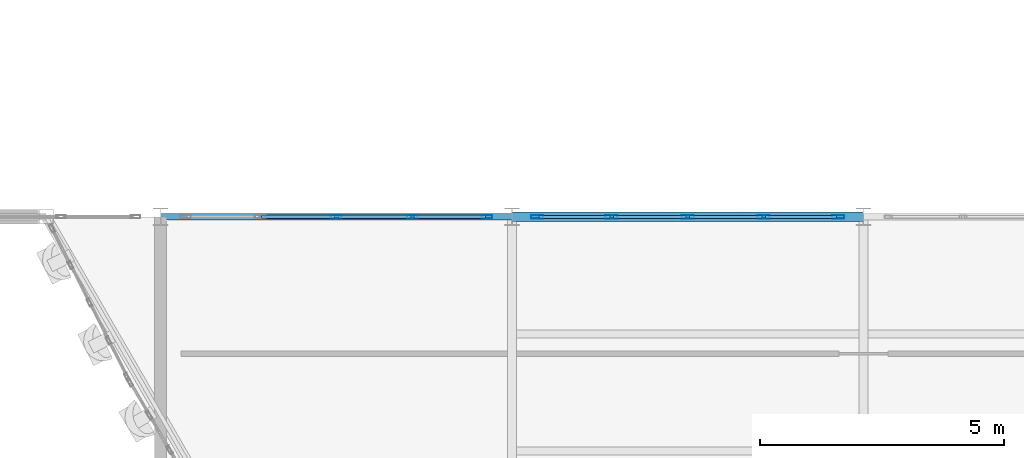
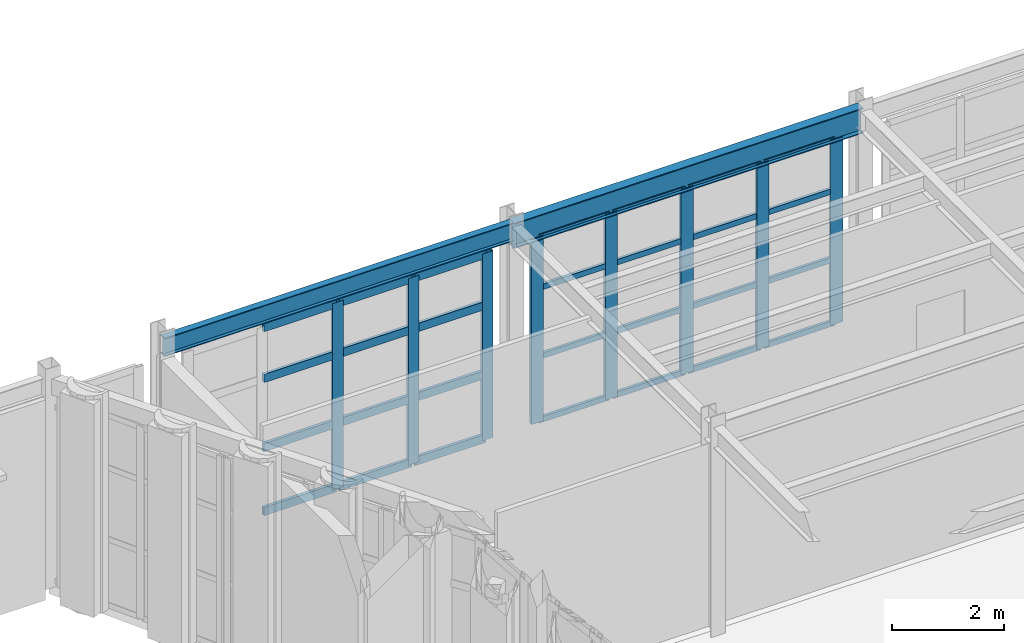
# One storey, part 31 of 121: 36 members, 2 beams, 2 elements without a shape of their own.
"""IFC4 building model written with IfcOpenShell, lengths in metres."""

from ifc_helpers import new_model, si_unit, direction, frame, origin, origin_2d, place, context, subcontext, project, spatial, hollow_rectangle, i_section, extrude, material, layer, layer_set, material_profile, profile_set, type_object, element, aggregate, save


model = new_model("IFC4")

# Units and contexts
model_context = context("Model", 3, precision=1e-05, world=origin(), true_north=direction((0.0, 1.0)))
body_context = subcontext(model_context, "Body", "Model", "MODEL_VIEW")
ifc_project = project(units=[si_unit("LENGTHUNIT", "METRE"), si_unit("AREAUNIT", "SQUARE_METRE"), si_unit("VOLUMEUNIT", "CUBIC_METRE"), si_unit("PLANEANGLEUNIT", "RADIAN"), si_unit("MASSUNIT", "GRAM", prefix="KILO")], contexts=[model_context])

# Site, building, storey
site_placement = place(None, origin())
site = spatial("IfcSite", under=ifc_project, at=site_placement, CompositionType="ELEMENT")
building_placement = place(site_placement, origin())
building = spatial("IfcBuilding", under=site, at=building_placement, Name="Solvadek Multi-Sports Hall", CompositionType="ELEMENT")
storey_placement = place(building_placement, frame((0.0, 0.0, 4.800048828125)))
storey = spatial("IfcBuildingStorey", under=building, at=storey_placement, Name="L01", CompositionType="ELEMENT", Elevation=4.800048828125)

# Curtain wall, members
ifc_material_1 = material(Name="Anodised aluminium", Category="aluminium")
ifc_layer_1 = layer(ifc_material_1, 0.159912109375, Name="Anodised aluminium")
ifc_layer_set_1 = layer_set([ifc_layer_1], Name="Anodised aluminium")
curtain_wall_type_1 = type_object("IfcCurtainWallType", Name="ENV-CW-624X408", PredefinedType="USERDEFINED", material=ifc_layer_set_1)
curtain_wall_1_placement = place(storey_placement, origin())
curtain_wall_1 = element("IfcCurtainWall", 1, at=curtain_wall_1_placement, inside=storey, type_object=curtain_wall_type_1, Name="L01 Perimeter Bay Curtain Wall #159", ObjectType="CURTAIN WALL", PredefinedType="USERDEFINED")
ifc_material_profile_1 = material_profile(ifc_material_1, hollow_rectangle(XDim=0.06494140625, YDim=0.219970703125, WallThickness=0.0048828125, at=origin_2d()), Name="ALU-M 220x65x5")
ifc_profile_set_1 = profile_set([ifc_material_profile_1], Name="Anodised aluminium")
member_type_1 = type_object("IfcMemberType", Name="ENV-CWM-04", PredefinedType="MULLION", material=ifc_profile_set_1)
member_1_placement = place(storey_placement, frame((32.39990234375, 20.39990234375, 0.0), z_axis=(0.0, 0.0, 1.0), x_axis=(0.0, 1.0, 0.0)))
member_1 = element("IfcMember", 2, at=member_1_placement, type_object=member_type_1, Name="CW-40 mullion 3", PredefinedType="MULLION", context=body_context, shape_type="SweptSolid", body=[
    extrude(hollow_rectangle(XDim=0.06494140625, YDim=0.219970703125, WallThickness=0.0048828125, at=origin_2d()), origin(), (0.0, 0.0, 1.0), 4.074951171875),
])
member_2_placement = place(storey_placement, frame((33.9599609375, 20.39990234375, 0.0), z_axis=(0.0, 0.0, 1.0), x_axis=(0.0, 1.0, 0.0)))
member_2 = element("IfcMember", 3, at=member_2_placement, type_object=member_type_1, Name="CW-40 mullion 4", PredefinedType="MULLION", context=body_context, shape_type="SweptSolid", body=[
    extrude(hollow_rectangle(XDim=0.06494140625, YDim=0.219970703125, WallThickness=0.0048828125, at=origin_2d()), origin(), (0.0, 0.0, 1.0), 4.074951171875),
])
member_3_placement = place(storey_placement, frame((35.487548828125, 20.39990234375, 0.0), z_axis=(0.0, 0.0, 1.0), x_axis=(0.0, 1.0, 0.0)))
member_3 = element("IfcMember", 4, at=member_3_placement, type_object=member_type_1, Name="CW-40 mullion 5", PredefinedType="MULLION", context=body_context, shape_type="SweptSolid", body=[
    extrude(hollow_rectangle(XDim=0.06494140625, YDim=0.219970703125, WallThickness=0.0048828125, at=origin_2d()), origin(), (0.0, 0.0, 1.0), 4.074951171875),
])

ifc_layer_2 = layer(ifc_material_1, 0.159912109375, Name="Anodised aluminium")
ifc_layer_set_2 = layer_set([ifc_layer_2], Name="Anodised aluminium")
curtain_wall_type_2 = type_object("IfcCurtainWallType", Name="ENV-CW-624X405", PredefinedType="USERDEFINED", material=ifc_layer_set_2)
curtain_wall_2_placement = place(storey_placement, origin())
curtain_wall_2 = element("IfcCurtainWall", 5, at=curtain_wall_2_placement, inside=storey, type_object=curtain_wall_type_2, Name="L01 Perimeter Bay Curtain Wall #164", ObjectType="CURTAIN WALL", PredefinedType="USERDEFINED")
ifc_material_profile_2 = material_profile(ifc_material_1, hollow_rectangle(XDim=0.070068359375, YDim=0.25, WallThickness=0.0048828125, at=origin_2d()), Name="ALU-M 250x70x5")
ifc_profile_set_2 = profile_set([ifc_material_profile_2], Name="Anodised aluminium")
member_type_2 = type_object("IfcMemberType", Name="ENV-CWM-05", PredefinedType="MULLION", material=ifc_profile_set_2)
member_4_placement = place(storey_placement, frame((36.514892578125, 20.39990234375, 0.0), z_axis=(0.0, 0.0, 1.0), x_axis=(0.0, 1.0, 0.0)))
member_4 = element("IfcMember", 6, at=member_4_placement, type_object=member_type_2, Name="CW-52 mullion 1", PredefinedType="MULLION", context=body_context, shape_type="SweptSolid", body=[
    extrude(hollow_rectangle(XDim=0.070068359375, YDim=0.25, WallThickness=0.0048828125, at=origin_2d()), origin(), (0.0, 0.0, 1.0), 4.050048828125),
])
member_5_placement = place(storey_placement, frame((38.0400390625, 20.39990234375, 0.0), z_axis=(0.0, 0.0, 1.0), x_axis=(0.0, 1.0, 0.0)))
member_5 = element("IfcMember", 7, at=member_5_placement, type_object=member_type_2, Name="CW-52 mullion 2", PredefinedType="MULLION", context=body_context, shape_type="SweptSolid", body=[
    extrude(hollow_rectangle(XDim=0.070068359375, YDim=0.25, WallThickness=0.0048828125, at=origin_2d()), origin(), (0.0, 0.0, 1.0), 4.050048828125),
])
member_6_placement = place(storey_placement, frame((39.60009765625, 20.39990234375, 0.0), z_axis=(0.0, 0.0, 1.0), x_axis=(0.0, 1.0, 0.0)))
member_6 = element("IfcMember", 8, at=member_6_placement, type_object=member_type_2, Name="CW-52 mullion 3", PredefinedType="MULLION", context=body_context, shape_type="SweptSolid", body=[
    extrude(hollow_rectangle(XDim=0.070068359375, YDim=0.25, WallThickness=0.0048828125, at=origin_2d()), origin(), (0.0, 0.0, 1.0), 4.050048828125),
])
member_7_placement = place(storey_placement, frame((41.159912109375, 20.39990234375, 0.0), z_axis=(0.0, 0.0, 1.0), x_axis=(0.0, 1.0, 0.0)))
member_7 = element("IfcMember", 9, at=member_7_placement, type_object=member_type_2, Name="CW-52 mullion 4", PredefinedType="MULLION", context=body_context, shape_type="SweptSolid", body=[
    extrude(hollow_rectangle(XDim=0.070068359375, YDim=0.25, WallThickness=0.0048828125, at=origin_2d()), origin(), (0.0, 0.0, 1.0), 4.050048828125),
])
member_8_placement = place(storey_placement, frame((42.68505859375, 20.39990234375, 0.0), z_axis=(0.0, 0.0, 1.0), x_axis=(0.0, 1.0, 0.0)))
member_8 = element("IfcMember", 10, at=member_8_placement, type_object=member_type_2, Name="CW-52 mullion 5", PredefinedType="MULLION", context=body_context, shape_type="SweptSolid", body=[
    extrude(hollow_rectangle(XDim=0.070068359375, YDim=0.25, WallThickness=0.0048828125, at=origin_2d()), origin(), (0.0, 0.0, 1.0), 4.050048828125),
])
ifc_material_profile_3 = material_profile(ifc_material_1, hollow_rectangle(XDim=0.06005859375, YDim=0.1201171875, WallThickness=0.00390625, at=origin_2d()), Name="ALU-T 120x60x4")
ifc_profile_set_3 = profile_set([ifc_material_profile_3], Name="Anodised aluminium")
member_type_3 = type_object("IfcMemberType", Name="ENV-CWT-01", PredefinedType="USERDEFINED", material=ifc_profile_set_3)
member_9_placement = place(storey_placement, frame((36.550048828125, 20.39990234375, 0.030029296875), z_axis=(1.0, 0.0, 0.0), x_axis=(0.0, 1.0, 0.0)))
member_9 = element("IfcMember", 11, at=member_9_placement, type_object=member_type_3, Name="CW-52 transom 1.1", ObjectType="TRANSOM", PredefinedType="USERDEFINED", context=body_context, shape_type="SweptSolid", body=[
    extrude(hollow_rectangle(XDim=0.06005859375, YDim=0.1201171875, WallThickness=0.00390625, at=origin_2d()), origin(), (0.0, 0.0, 1.0), 1.454833984375),
])
member_10_placement = place(storey_placement, frame((36.550048828125, 20.39990234375, 1.4169921875), z_axis=(1.0, 0.0, 0.0), x_axis=(0.0, 1.0, 0.0)))
member_10 = element("IfcMember", 12, at=member_10_placement, type_object=member_type_3, Name="CW-52 transom 1.2", ObjectType="TRANSOM", PredefinedType="USERDEFINED", context=body_context, shape_type="SweptSolid", body=[
    extrude(hollow_rectangle(XDim=0.06005859375, YDim=0.1201171875, WallThickness=0.00390625, at=origin_2d()), origin(), (0.0, 0.0, 1.0), 1.454833984375),
])
member_11_placement = place(storey_placement, frame((36.550048828125, 20.39990234375, 2.916015625), z_axis=(1.0, 0.0, 0.0), x_axis=(0.0, 1.0, 0.0)))
member_11 = element("IfcMember", 13, at=member_11_placement, type_object=member_type_3, Name="CW-52 transom 1.3", ObjectType="TRANSOM", PredefinedType="USERDEFINED", context=body_context, shape_type="SweptSolid", body=[
    extrude(hollow_rectangle(XDim=0.06005859375, YDim=0.1201171875, WallThickness=0.00390625, at=origin_2d()), origin(), (0.0, 0.0, 1.0), 1.454833984375),
])
member_12_placement = place(storey_placement, frame((36.550048828125, 20.39990234375, 4.02001953125), z_axis=(1.0, 0.0, 0.0), x_axis=(0.0, 1.0, 0.0)))
member_12 = element("IfcMember", 14, at=member_12_placement, type_object=member_type_3, Name="CW-52 transom 1.4", ObjectType="TRANSOM", PredefinedType="USERDEFINED", context=body_context, shape_type="SweptSolid", body=[
    extrude(hollow_rectangle(XDim=0.06005859375, YDim=0.1201171875, WallThickness=0.00390625, at=origin_2d()), origin(), (0.0, 0.0, 1.0), 1.454833984375),
])
member_13_placement = place(storey_placement, frame((38.074951171875, 20.39990234375, 0.030029296875), z_axis=(1.0, 0.0, 0.0), x_axis=(0.0, 1.0, 0.0)))
member_13 = element("IfcMember", 15, at=member_13_placement, type_object=member_type_3, Name="CW-52 transom 2.1", ObjectType="TRANSOM", PredefinedType="USERDEFINED", context=body_context, shape_type="SweptSolid", body=[
    extrude(hollow_rectangle(XDim=0.06005859375, YDim=0.1201171875, WallThickness=0.00390625, at=origin_2d()), origin(), (0.0, 0.0, 1.0), 1.489990234375),
])
member_14_placement = place(storey_placement, frame((38.074951171875, 20.39990234375, 1.4169921875), z_axis=(1.0, 0.0, 0.0), x_axis=(0.0, 1.0, 0.0)))
member_14 = element("IfcMember", 16, at=member_14_placement, type_object=member_type_3, Name="CW-52 transom 2.2", ObjectType="TRANSOM", PredefinedType="USERDEFINED", context=body_context, shape_type="SweptSolid", body=[
    extrude(hollow_rectangle(XDim=0.06005859375, YDim=0.1201171875, WallThickness=0.00390625, at=origin_2d()), origin(), (0.0, 0.0, 1.0), 1.489990234375),
])
member_15_placement = place(storey_placement, frame((38.074951171875, 20.39990234375, 2.916015625), z_axis=(1.0, 0.0, 0.0), x_axis=(0.0, 1.0, 0.0)))
member_15 = element("IfcMember", 17, at=member_15_placement, type_object=member_type_3, Name="CW-52 transom 2.3", ObjectType="TRANSOM", PredefinedType="USERDEFINED", context=body_context, shape_type="SweptSolid", body=[
    extrude(hollow_rectangle(XDim=0.06005859375, YDim=0.1201171875, WallThickness=0.00390625, at=origin_2d()), origin(), (0.0, 0.0, 1.0), 1.489990234375),
])
member_16_placement = place(storey_placement, frame((38.074951171875, 20.39990234375, 4.02001953125), z_axis=(1.0, 0.0, 0.0), x_axis=(0.0, 1.0, 0.0)))
member_16 = element("IfcMember", 18, at=member_16_placement, type_object=member_type_3, Name="CW-52 transom 2.4", ObjectType="TRANSOM", PredefinedType="USERDEFINED", context=body_context, shape_type="SweptSolid", body=[
    extrude(hollow_rectangle(XDim=0.06005859375, YDim=0.1201171875, WallThickness=0.00390625, at=origin_2d()), origin(), (0.0, 0.0, 1.0), 1.489990234375),
])
member_17_placement = place(storey_placement, frame((39.635009765625, 20.39990234375, 0.030029296875), z_axis=(1.0, 0.0, 0.0), x_axis=(0.0, 1.0, 0.0)))
member_17 = element("IfcMember", 19, at=member_17_placement, type_object=member_type_3, Name="CW-52 transom 3.1", ObjectType="TRANSOM", PredefinedType="USERDEFINED", context=body_context, shape_type="SweptSolid", body=[
    extrude(hollow_rectangle(XDim=0.06005859375, YDim=0.1201171875, WallThickness=0.00390625, at=origin_2d()), origin(), (0.0, 0.0, 1.0), 1.489990234375),
])
member_18_placement = place(storey_placement, frame((39.635009765625, 20.39990234375, 1.4169921875), z_axis=(1.0, 0.0, 0.0), x_axis=(0.0, 1.0, 0.0)))
member_18 = element("IfcMember", 20, at=member_18_placement, type_object=member_type_3, Name="CW-52 transom 3.2", ObjectType="TRANSOM", PredefinedType="USERDEFINED", context=body_context, shape_type="SweptSolid", body=[
    extrude(hollow_rectangle(XDim=0.06005859375, YDim=0.1201171875, WallThickness=0.00390625, at=origin_2d()), origin(), (0.0, 0.0, 1.0), 1.489990234375),
])
member_19_placement = place(storey_placement, frame((39.635009765625, 20.39990234375, 2.916015625), z_axis=(1.0, 0.0, 0.0), x_axis=(0.0, 1.0, 0.0)))
member_19 = element("IfcMember", 21, at=member_19_placement, type_object=member_type_3, Name="CW-52 transom 3.3", ObjectType="TRANSOM", PredefinedType="USERDEFINED", context=body_context, shape_type="SweptSolid", body=[
    extrude(hollow_rectangle(XDim=0.06005859375, YDim=0.1201171875, WallThickness=0.00390625, at=origin_2d()), origin(), (0.0, 0.0, 1.0), 1.489990234375),
])
member_20_placement = place(storey_placement, frame((39.635009765625, 20.39990234375, 4.02001953125), z_axis=(1.0, 0.0, 0.0), x_axis=(0.0, 1.0, 0.0)))
member_20 = element("IfcMember", 22, at=member_20_placement, type_object=member_type_3, Name="CW-52 transom 3.4", ObjectType="TRANSOM", PredefinedType="USERDEFINED", context=body_context, shape_type="SweptSolid", body=[
    extrude(hollow_rectangle(XDim=0.06005859375, YDim=0.1201171875, WallThickness=0.00390625, at=origin_2d()), origin(), (0.0, 0.0, 1.0), 1.489990234375),
])
member_21_placement = place(storey_placement, frame((41.195068359375, 20.39990234375, 0.030029296875), z_axis=(1.0, 0.0, 0.0), x_axis=(0.0, 1.0, 0.0)))
member_21 = element("IfcMember", 23, at=member_21_placement, type_object=member_type_3, Name="CW-52 transom 4.1", ObjectType="TRANSOM", PredefinedType="USERDEFINED", context=body_context, shape_type="SweptSolid", body=[
    extrude(hollow_rectangle(XDim=0.06005859375, YDim=0.1201171875, WallThickness=0.00390625, at=origin_2d()), origin(), (0.0, 0.0, 1.0), 1.454833984375),
])
member_22_placement = place(storey_placement, frame((41.195068359375, 20.39990234375, 1.4169921875), z_axis=(1.0, 0.0, 0.0), x_axis=(0.0, 1.0, 0.0)))
member_22 = element("IfcMember", 24, at=member_22_placement, type_object=member_type_3, Name="CW-52 transom 4.2", ObjectType="TRANSOM", PredefinedType="USERDEFINED", context=body_context, shape_type="SweptSolid", body=[
    extrude(hollow_rectangle(XDim=0.06005859375, YDim=0.1201171875, WallThickness=0.00390625, at=origin_2d()), origin(), (0.0, 0.0, 1.0), 1.454833984375),
])
member_23_placement = place(storey_placement, frame((41.195068359375, 20.39990234375, 2.916015625), z_axis=(1.0, 0.0, 0.0), x_axis=(0.0, 1.0, 0.0)))
member_23 = element("IfcMember", 25, at=member_23_placement, type_object=member_type_3, Name="CW-52 transom 4.3", ObjectType="TRANSOM", PredefinedType="USERDEFINED", context=body_context, shape_type="SweptSolid", body=[
    extrude(hollow_rectangle(XDim=0.06005859375, YDim=0.1201171875, WallThickness=0.00390625, at=origin_2d()), origin(), (0.0, 0.0, 1.0), 1.454833984375),
])
member_24_placement = place(storey_placement, frame((41.195068359375, 20.39990234375, 4.02001953125), z_axis=(1.0, 0.0, 0.0), x_axis=(0.0, 1.0, 0.0)))
member_24 = element("IfcMember", 26, at=member_24_placement, type_object=member_type_3, Name="CW-52 transom 4.4", ObjectType="TRANSOM", PredefinedType="USERDEFINED", context=body_context, shape_type="SweptSolid", body=[
    extrude(hollow_rectangle(XDim=0.06005859375, YDim=0.1201171875, WallThickness=0.00390625, at=origin_2d()), origin(), (0.0, 0.0, 1.0), 1.454833984375),
])
aggregate(curtain_wall_2, [member_4, member_5, member_6, member_7, member_8, member_9, member_10, member_11, member_12, member_13, member_14, member_15, member_16, member_17, member_18, member_19, member_20, member_21, member_22, member_23, member_24])

# Member
ifc_material_profile_4 = material_profile(ifc_material_1, hollow_rectangle(XDim=0.06494140625, YDim=0.179931640625, WallThickness=0.0048828125, at=origin_2d()), Name="ALU-T 180x65x5")
ifc_profile_set_4 = profile_set([ifc_material_profile_4], Name="Anodised aluminium")
member_type_4 = type_object("IfcMemberType", Name="ENV-CWT-04", PredefinedType="USERDEFINED", material=ifc_profile_set_4)
member_25_placement = place(storey_placement, frame((30.87255859375, 20.39990234375, 0.032470703125), z_axis=(1.0, 0.0, 0.0), x_axis=(0.0, 1.0, 0.0)))
member_25 = element("IfcMember", 27, at=member_25_placement, type_object=member_type_4, Name="CW-40 transom 2.1", ObjectType="TRANSOM", PredefinedType="USERDEFINED", context=body_context, shape_type="SweptSolid", body=[
    extrude(hollow_rectangle(XDim=0.06494140625, YDim=0.179931640625, WallThickness=0.0048828125, at=origin_2d()), origin(), (0.0, 0.0, 1.0), 1.494873046875),
])

member_26_placement = place(storey_placement, frame((30.87255859375, 20.39990234375, 1.426025390625), z_axis=(1.0, 0.0, 0.0), x_axis=(0.0, 1.0, 0.0)))
member_26 = element("IfcMember", 28, at=member_26_placement, type_object=member_type_4, Name="CW-40 transom 2.2", ObjectType="TRANSOM", PredefinedType="USERDEFINED", context=body_context, shape_type="SweptSolid", body=[
    extrude(hollow_rectangle(XDim=0.06494140625, YDim=0.179931640625, WallThickness=0.0048828125, at=origin_2d()), origin(), (0.0, 0.0, 1.0), 1.494873046875),
])

member_27_placement = place(storey_placement, frame((30.87255859375, 20.39990234375, 2.933837890625), z_axis=(1.0, 0.0, 0.0), x_axis=(0.0, 1.0, 0.0)))
member_27 = element("IfcMember", 29, at=member_27_placement, type_object=member_type_4, Name="CW-40 transom 2.3", ObjectType="TRANSOM", PredefinedType="USERDEFINED", context=body_context, shape_type="SweptSolid", body=[
    extrude(hollow_rectangle(XDim=0.06494140625, YDim=0.179931640625, WallThickness=0.0048828125, at=origin_2d()), origin(), (0.0, 0.0, 1.0), 1.494873046875),
])

member_28_placement = place(storey_placement, frame((30.87255859375, 20.39990234375, 4.04248046875), z_axis=(1.0, 0.0, 0.0), x_axis=(0.0, 1.0, 0.0)))
member_28 = element("IfcMember", 30, at=member_28_placement, type_object=member_type_4, Name="CW-40 transom 2.4", ObjectType="TRANSOM", PredefinedType="USERDEFINED", context=body_context, shape_type="SweptSolid", body=[
    extrude(hollow_rectangle(XDim=0.06494140625, YDim=0.179931640625, WallThickness=0.0048828125, at=origin_2d()), origin(), (0.0, 0.0, 1.0), 1.494873046875),
])

member_29_placement = place(storey_placement, frame((32.4326171875, 20.39990234375, 0.032470703125), z_axis=(1.0, 0.0, 0.0), x_axis=(0.0, 1.0, 0.0)))
member_29 = element("IfcMember", 31, at=member_29_placement, type_object=member_type_4, Name="CW-40 transom 3.1", ObjectType="TRANSOM", PredefinedType="USERDEFINED", context=body_context, shape_type="SweptSolid", body=[
    extrude(hollow_rectangle(XDim=0.06494140625, YDim=0.179931640625, WallThickness=0.0048828125, at=origin_2d()), origin(), (0.0, 0.0, 1.0), 1.494873046875),
])

member_30_placement = place(storey_placement, frame((32.4326171875, 20.39990234375, 1.426025390625), z_axis=(1.0, 0.0, 0.0), x_axis=(0.0, 1.0, 0.0)))
member_30 = element("IfcMember", 32, at=member_30_placement, type_object=member_type_4, Name="CW-40 transom 3.2", ObjectType="TRANSOM", PredefinedType="USERDEFINED", context=body_context, shape_type="SweptSolid", body=[
    extrude(hollow_rectangle(XDim=0.06494140625, YDim=0.179931640625, WallThickness=0.0048828125, at=origin_2d()), origin(), (0.0, 0.0, 1.0), 1.494873046875),
])

member_31_placement = place(storey_placement, frame((32.4326171875, 20.39990234375, 2.933837890625), z_axis=(1.0, 0.0, 0.0), x_axis=(0.0, 1.0, 0.0)))
member_31 = element("IfcMember", 33, at=member_31_placement, type_object=member_type_4, Name="CW-40 transom 3.3", ObjectType="TRANSOM", PredefinedType="USERDEFINED", context=body_context, shape_type="SweptSolid", body=[
    extrude(hollow_rectangle(XDim=0.06494140625, YDim=0.179931640625, WallThickness=0.0048828125, at=origin_2d()), origin(), (0.0, 0.0, 1.0), 1.494873046875),
])

member_32_placement = place(storey_placement, frame((32.4326171875, 20.39990234375, 4.04248046875), z_axis=(1.0, 0.0, 0.0), x_axis=(0.0, 1.0, 0.0)))
member_32 = element("IfcMember", 34, at=member_32_placement, type_object=member_type_4, Name="CW-40 transom 3.4", ObjectType="TRANSOM", PredefinedType="USERDEFINED", context=body_context, shape_type="SweptSolid", body=[
    extrude(hollow_rectangle(XDim=0.06494140625, YDim=0.179931640625, WallThickness=0.0048828125, at=origin_2d()), origin(), (0.0, 0.0, 1.0), 1.494873046875),
])

member_33_placement = place(storey_placement, frame((33.992431640625, 20.39990234375, 0.032470703125), z_axis=(1.0, 0.0, 0.0), x_axis=(0.0, 1.0, 0.0)))
member_33 = element("IfcMember", 35, at=member_33_placement, type_object=member_type_4, Name="CW-40 transom 4.1", ObjectType="TRANSOM", PredefinedType="USERDEFINED", context=body_context, shape_type="SweptSolid", body=[
    extrude(hollow_rectangle(XDim=0.06494140625, YDim=0.179931640625, WallThickness=0.0048828125, at=origin_2d()), origin(), (0.0, 0.0, 1.0), 1.462646484375),
])

member_34_placement = place(storey_placement, frame((33.992431640625, 20.39990234375, 1.426025390625), z_axis=(1.0, 0.0, 0.0), x_axis=(0.0, 1.0, 0.0)))
member_34 = element("IfcMember", 36, at=member_34_placement, type_object=member_type_4, Name="CW-40 transom 4.2", ObjectType="TRANSOM", PredefinedType="USERDEFINED", context=body_context, shape_type="SweptSolid", body=[
    extrude(hollow_rectangle(XDim=0.06494140625, YDim=0.179931640625, WallThickness=0.0048828125, at=origin_2d()), origin(), (0.0, 0.0, 1.0), 1.462646484375),
])

member_35_placement = place(storey_placement, frame((33.992431640625, 20.39990234375, 2.933837890625), z_axis=(1.0, 0.0, 0.0), x_axis=(0.0, 1.0, 0.0)))
member_35 = element("IfcMember", 37, at=member_35_placement, type_object=member_type_4, Name="CW-40 transom 4.3", ObjectType="TRANSOM", PredefinedType="USERDEFINED", context=body_context, shape_type="SweptSolid", body=[
    extrude(hollow_rectangle(XDim=0.06494140625, YDim=0.179931640625, WallThickness=0.0048828125, at=origin_2d()), origin(), (0.0, 0.0, 1.0), 1.462646484375),
])

member_36_placement = place(storey_placement, frame((33.992431640625, 20.39990234375, 4.04248046875), z_axis=(1.0, 0.0, 0.0), x_axis=(0.0, 1.0, 0.0)))
member_36 = element("IfcMember", 38, at=member_36_placement, type_object=member_type_4, Name="CW-40 transom 4.4", ObjectType="TRANSOM", PredefinedType="USERDEFINED", context=body_context, shape_type="SweptSolid", body=[
    extrude(hollow_rectangle(XDim=0.06494140625, YDim=0.179931640625, WallThickness=0.0048828125, at=origin_2d()), origin(), (0.0, 0.0, 1.0), 1.462646484375),
])

aggregate(curtain_wall_1, [member_1, member_2, member_3, member_25, member_26, member_27, member_28, member_29, member_30, member_31, member_32, member_33, member_34, member_35, member_36])

# Beams
ifc_material_2 = material(Name="Steel E350 (350 MPa)", Category="steel")
ifc_material_profile_5 = material_profile(ifc_material_2, i_section(OverallWidth=0.139892578125, OverallDepth=0.39990234375, WebThickness=0.0087890625, FlangeThickness=0.01611328125, at=origin_2d()), Name="ISMB 400")
ifc_profile_set_5 = profile_set([ifc_material_profile_5], Name="Steel E350 (350 MPa)")
beam_type_1 = type_object("IfcBeamType", Name="STR-BM-ISMB400", PredefinedType="BEAM", material=ifc_profile_set_5)
beam_1_placement = place(storey_placement, frame((28.800048828125, 20.39990234375, 4.35986328125), z_axis=(1.0, 0.0, 0.0), x_axis=(0.0, 1.0, 0.0)))
element("IfcBeam", 39, at=beam_1_placement, inside=storey, type_object=beam_type_1, Name="L01 Girder B-10 #972", PredefinedType="BEAM", context=body_context, shape_type="SweptSolid", body=[
    extrude(i_section(OverallWidth=0.139892578125, OverallDepth=0.39990234375, WebThickness=0.0087890625, FlangeThickness=0.01611328125, at=origin_2d()), origin(), (0.0, 0.0, 1.0), 7.199951171875),
])
ifc_material_profile_6 = material_profile(ifc_material_2, i_section(OverallWidth=0.18994140625, OverallDepth=0.550048828125, WebThickness=0.01123046875, FlangeThickness=0.019287109375, at=origin_2d()), Name="ISMB 550")
ifc_profile_set_6 = profile_set([ifc_material_profile_6], Name="Steel E350 (350 MPa)")
beam_type_2 = type_object("IfcBeamType", Name="STR-BM-ISMB550", PredefinedType="BEAM", material=ifc_profile_set_6)
beam_2_placement = place(storey_placement, frame((36.0, 20.39990234375, 4.284912109375), z_axis=(1.0, 0.0, 0.0), x_axis=(0.0, 1.0, 0.0)))
element("IfcBeam", 40, at=beam_2_placement, inside=storey, type_object=beam_type_2, Name="L01 Girder B-06 #973", PredefinedType="BEAM", context=body_context, shape_type="SweptSolid", body=[
    extrude(i_section(OverallWidth=0.18994140625, OverallDepth=0.550048828125, WebThickness=0.01123046875, FlangeThickness=0.019287109375, at=origin_2d()), origin(), (0.0, 0.0, 1.0), 7.199951171875),
])

save(model, "model.ifc")
